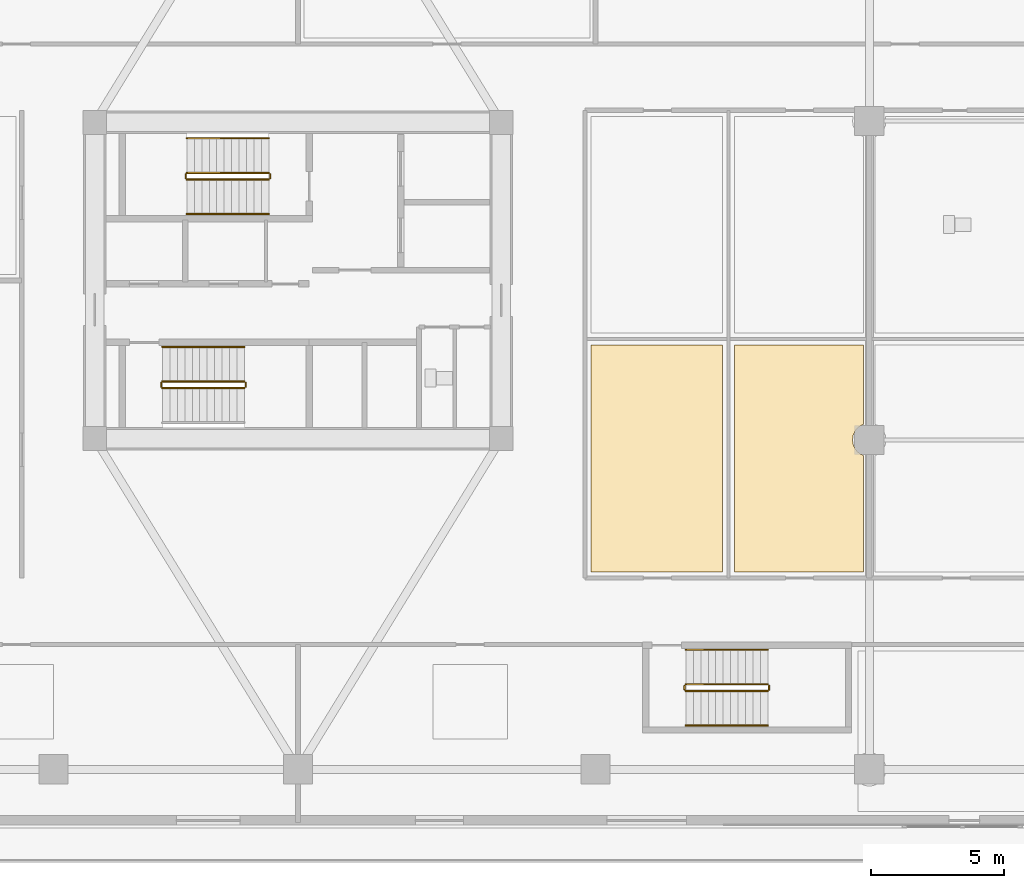
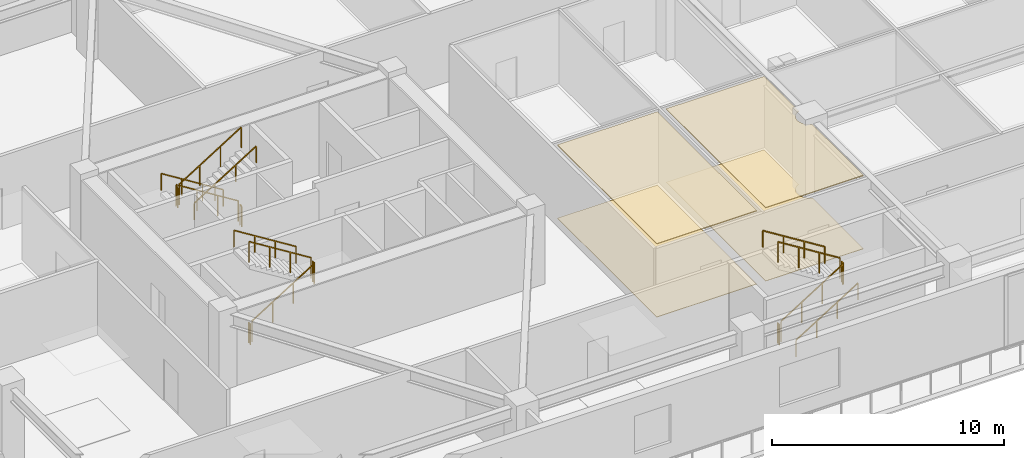
# One storey, part 14 of 22: 17 railings, 4 coverings.
"""IFC4 building model written with IfcOpenShell, lengths in metres."""

from ifc_helpers import new_model, si_unit, direction, frame, origin, origin_2d, place, context, subcontext, project, spatial, polyline, rectangle, outline, extrude, material, layer, layer_set, type_object, element, save


model = new_model("IFC4")

# Units and contexts
model_context = context("Model", 3, precision=1e-05, world=origin(), true_north=direction((0.0, 1.0)))
body_context = subcontext(model_context, "Body", "Model", "MODEL_VIEW")
ifc_project = project(units=[si_unit("LENGTHUNIT", "METRE"), si_unit("AREAUNIT", "SQUARE_METRE"), si_unit("VOLUMEUNIT", "CUBIC_METRE"), si_unit("PLANEANGLEUNIT", "RADIAN"), si_unit("MASSUNIT", "GRAM", prefix="KILO")], contexts=[model_context])

# Site, building, storey
site_placement = place(None, origin())
site = spatial("IfcSite", under=ifc_project, at=site_placement, CompositionType="ELEMENT")
building_placement = place(site_placement, origin())
building = spatial("IfcBuilding", under=site, at=building_placement, Name="Norrkilde Senior Care Towers", CompositionType="ELEMENT")
storey_placement = place(building_placement, frame((0.0, 0.0, 12.60009765625)))
storey = spatial("IfcBuildingStorey", under=building, at=storey_placement, Name="L03", CompositionType="ELEMENT", Elevation=12.60009765625)

# Coverings
ifc_material_1 = material(Name="Nordic Ash Timber", Category="wood")
ifc_layer_1 = layer(ifc_material_1, 0.044921875)
ifc_layer_set_1 = layer_set([ifc_layer_1], Name="Nordic Ash Timber")
covering_type_1 = type_object("IfcCoveringType", Name="Acoustic Ash Timber Slatted Ceiling 45", PredefinedType="CEILING", material=ifc_layer_set_1)
covering_1_placement = place(storey_placement, frame((0.0, 0.0, 3.8349609375)))
element("IfcCovering", 1, at=covering_1_placement, inside=storey, type_object=covering_type_1, Name="L03 Suspended Ceiling 0074", PredefinedType="CEILING", context=body_context, shape_type="SweptSolid", body=[
    extrude(outline(polyline([(-12.02001953125, -2.419921875), (-12.02001953125, -10.97998046875), (-16.97998046875, -10.97998046875), (-16.97998046875, -2.419921875), (-12.02001953125, -2.419921875)])), origin(), (0.0, 0.0, 1.0), 0.044921875),
])
covering_2_placement = place(storey_placement, frame((0.0, 0.0, 3.8349609375)))
element("IfcCovering", 2, at=covering_2_placement, inside=storey, type_object=covering_type_1, Name="L03 Suspended Ceiling 0076", PredefinedType="CEILING", context=body_context, shape_type="SweptSolid", body=[
    extrude(outline(polyline([(-6.719970703125, -5.4150390625), (-6.81494140625, -5.454345703125), (-6.945556640625, -5.554443359375), (-7.045654296875, -5.68505859375), (-7.108642578125, -5.8369140625), (-7.1298828125, -6.0), (-7.108642578125, -6.1630859375), (-7.045654296875, -6.31494140625), (-6.945556640625, -6.445556640625), (-6.81494140625, -6.545654296875), (-6.719970703125, -6.5849609375), (-6.719970703125, -10.97998046875), (-11.580078125, -10.97998046875), (-11.580078125, -2.419921875), (-6.719970703125, -2.419921875), (-6.719970703125, -5.4150390625)])), origin(), (0.0, 0.0, 1.0), 0.044921875),
])
ifc_material_2 = material(Name="Slip-Resistant Porcelain Stone", Category="masonry")
ifc_layer_2 = layer(ifc_material_2, 0.02490234375)
ifc_layer_set_2 = layer_set([ifc_layer_2], Name="Slip-Resistant Porcelain Stone")
covering_type_2 = type_object("IfcCoveringType", Name="Slip-Resistant Porcelain Flooring 25", PredefinedType="FLOORING", material=ifc_layer_set_2)
covering_3_placement = place(storey_placement, origin())
element("IfcCovering", 3, at=covering_3_placement, inside=storey, type_object=covering_type_2, Name="L03 Floor Finish 0074", PredefinedType="FLOORING", context=body_context, shape_type="SweptSolid", body=[
    extrude(outline(polyline([(-12.02001953125, -2.419921875), (-12.02001953125, -10.97998046875), (-16.97998046875, -10.97998046875), (-16.97998046875, -2.419921875), (-12.02001953125, -2.419921875)])), origin(), (0.0, 0.0, 1.0), 0.02490234375),
])
covering_4_placement = place(storey_placement, origin())
element("IfcCovering", 4, at=covering_4_placement, inside=storey, type_object=covering_type_2, Name="L03 Floor Finish 0076", PredefinedType="FLOORING", context=body_context, shape_type="SweptSolid", body=[
    extrude(outline(polyline([(-6.719970703125, -5.4150390625), (-6.81494140625, -5.454345703125), (-6.945556640625, -5.554443359375), (-7.045654296875, -5.68505859375), (-7.108642578125, -5.8369140625), (-7.1298828125, -6.0), (-7.108642578125, -6.1630859375), (-7.045654296875, -6.31494140625), (-6.945556640625, -6.445556640625), (-6.81494140625, -6.545654296875), (-6.719970703125, -6.5849609375), (-6.719970703125, -10.97998046875), (-11.580078125, -10.97998046875), (-11.580078125, -2.419921875), (-6.719970703125, -2.419921875), (-6.719970703125, -5.4150390625)])), origin(), (0.0, 0.0, 1.0), 0.02490234375),
])

# Railings
ifc_material_3 = material(Name="Stainless Steel", Category="steel")
railing_type_1 = type_object("IfcRailingType", Name="Stair and Terrace Guardrail 1100", PredefinedType="GUARDRAIL", material=ifc_material_3)
railing_1_placement = place(storey_placement, frame((-29.10009765625, 4.050048828125, 0.1748046875)))
element("IfcRailing", 5, at=railing_1_placement, inside=storey, type_object=railing_type_1, Name="L03 ST-W1 stair guard 1", PredefinedType="GUARDRAIL", context=body_context, shape_type="SweptSolid", body=[
    extrude(rectangle(XDim=0.048095703125, YDim=0.048095703125, at=origin_2d()), frame((0.0, 0.0, 1.076171875), z_axis=(-0.847979421464, 0.0, 0.530029150871), x_axis=(0.0, -1.0, 0.0)), (0.0, 0.0, 1.0), 3.632080078125),
    extrude(rectangle(XDim=0.0419921875, YDim=0.0419921875, at=origin_2d()), origin(), (0.0, 0.0, 1.0), 1.050048828125),
    extrude(rectangle(XDim=0.0419921875, YDim=0.0419921875, at=origin_2d()), frame((-1.026611328125, 0.0, 0.6416015625)), (0.0, 0.0, 1.0), 1.050048828125),
    extrude(rectangle(XDim=0.0419921875, YDim=0.0419921875, at=origin_2d()), frame((-2.05322265625, 0.0, 1.283447265625)), (0.0, 0.0, 1.0), 1.050048828125),
    extrude(rectangle(XDim=0.0419921875, YDim=0.0419921875, at=origin_2d()), frame((-3.079833984375, 0.0, 1.925048828125)), (0.0, 0.0, 1.0), 1.050048828125),
])
railing_2_placement = place(storey_placement, frame((-32.22998046875, 4.0, 2.099853515625)))
element("IfcRailing", 6, at=railing_2_placement, inside=storey, type_object=railing_type_1, Name="L03 ST-W1 stair guard 2", PredefinedType="GUARDRAIL", context=body_context, shape_type="SweptSolid", body=[
    extrude(rectangle(XDim=0.048095703125, YDim=0.048095703125, at=origin_2d()), frame((0.0, 0.0, 1.076171875), z_axis=(0.0, -1.0, 0.0), x_axis=(1.0, 0.0, 0.0)), (0.0, 0.0, 1.0), 0.14990234375),
    extrude(rectangle(XDim=0.0419921875, YDim=0.0419921875, at=origin_2d()), origin(), (0.0, 0.0, 1.0), 1.050048828125),
    extrude(rectangle(XDim=0.0419921875, YDim=0.0419921875, at=origin_2d()), frame((0.0, -0.14990234375, 0.0)), (0.0, 0.0, 1.0), 1.050048828125),
])
railing_3_placement = place(storey_placement, frame((-32.179931640625, 3.800048828125, 2.27490234375)))
element("IfcRailing", 7, at=railing_3_placement, inside=storey, type_object=railing_type_1, Name="L03 ST-W1 stair guard 3", PredefinedType="GUARDRAIL", context=body_context, shape_type="SweptSolid", body=[
    extrude(rectangle(XDim=0.048095703125, YDim=0.048095703125, at=origin_2d()), frame((0.0, 0.0, 1.076171875), z_axis=(0.847979421464, 0.0, 0.530029150871), x_axis=(0.0, 1.0, 0.0)), (0.0, 0.0, 1.0), 3.632080078125),
    extrude(rectangle(XDim=0.0419921875, YDim=0.0419921875, at=origin_2d()), origin(), (0.0, 0.0, 1.0), 1.050048828125),
    extrude(rectangle(XDim=0.0419921875, YDim=0.0419921875, at=origin_2d()), frame((1.026611328125, 0.0, 0.6416015625)), (0.0, 0.0, 1.0), 1.050048828125),
    extrude(rectangle(XDim=0.0419921875, YDim=0.0419921875, at=origin_2d()), frame((2.05322265625, 0.0, 1.283447265625)), (0.0, 0.0, 1.0), 1.050048828125),
    extrude(rectangle(XDim=0.0419921875, YDim=0.0419921875, at=origin_2d()), frame((3.079833984375, 0.0, 1.925048828125)), (0.0, 0.0, 1.0), 1.050048828125),
])
railing_4_placement = place(storey_placement, frame((-29.050048828125, 4.0, 0.0)))
element("IfcRailing", 8, at=railing_4_placement, inside=storey, type_object=railing_type_1, Name="L03 ST-W1 stair guard 4", PredefinedType="GUARDRAIL", context=body_context, shape_type="SweptSolid", body=[
    extrude(rectangle(XDim=0.048095703125, YDim=0.048095703125, at=origin_2d()), frame((0.0, 0.0, 1.076171875), z_axis=(0.0, -1.0, 0.0), x_axis=(1.0, 0.0, 0.0)), (0.0, 0.0, 1.0), 0.14990234375),
    extrude(rectangle(XDim=0.0419921875, YDim=0.0419921875, at=origin_2d()), origin(), (0.0, 0.0, 1.0), 1.050048828125),
    extrude(rectangle(XDim=0.0419921875, YDim=0.0419921875, at=origin_2d()), frame((0.0, -0.14990234375, 0.0)), (0.0, 0.0, 1.0), 1.050048828125),
])
railing_5_placement = place(storey_placement, frame((-33.10009765625, -4.050048828125, 0.1748046875)))
element("IfcRailing", 9, at=railing_5_placement, inside=storey, type_object=railing_type_1, Name="L03 ST-W2 stair guard 1", PredefinedType="GUARDRAIL", context=body_context, shape_type="SweptSolid", body=[
    extrude(rectangle(XDim=0.048095703125, YDim=0.048095703125, at=origin_2d()), frame((0.0, 0.0, 1.076171875), z_axis=(0.847998304005, 0.0, 0.529998940003), x_axis=(0.0, 1.0, 0.0)), (0.0, 0.0, 1.0), 3.632080078125),
    extrude(rectangle(XDim=0.0419921875, YDim=0.0419921875, at=origin_2d()), origin(), (0.0, 0.0, 1.0), 1.050048828125),
    extrude(rectangle(XDim=0.0419921875, YDim=0.0419921875, at=origin_2d()), frame((1.026611328125, 0.0, 0.6416015625)), (0.0, 0.0, 1.0), 1.050048828125),
    extrude(rectangle(XDim=0.0419921875, YDim=0.0419921875, at=origin_2d()), frame((2.053466796875, 0.0, 1.283447265625)), (0.0, 0.0, 1.0), 1.050048828125),
    extrude(rectangle(XDim=0.0419921875, YDim=0.0419921875, at=origin_2d()), frame((3.080078125, 0.0, 1.925048828125)), (0.0, 0.0, 1.0), 1.050048828125),
])
railing_6_placement = place(storey_placement, frame((-29.969970703125, -4.0, 2.099853515625)))
element("IfcRailing", 10, at=railing_6_placement, inside=storey, type_object=railing_type_1, Name="L03 ST-W2 stair guard 2", PredefinedType="GUARDRAIL", context=body_context, shape_type="SweptSolid", body=[
    extrude(rectangle(XDim=0.048095703125, YDim=0.048095703125, at=origin_2d()), frame((0.0, 0.0, 1.076171875), z_axis=(0.0, 1.0, 0.0), x_axis=(-1.0, 0.0, 0.0)), (0.0, 0.0, 1.0), 0.14990234375),
    extrude(rectangle(XDim=0.0419921875, YDim=0.0419921875, at=origin_2d()), origin(), (0.0, 0.0, 1.0), 1.050048828125),
    extrude(rectangle(XDim=0.0419921875, YDim=0.0419921875, at=origin_2d()), frame((0.0, 0.14990234375, 0.0)), (0.0, 0.0, 1.0), 1.050048828125),
])
railing_7_placement = place(storey_placement, frame((-30.02001953125, -3.800048828125, 2.27490234375)))
element("IfcRailing", 11, at=railing_7_placement, inside=storey, type_object=railing_type_1, Name="L03 ST-W2 stair guard 3", PredefinedType="GUARDRAIL", context=body_context, shape_type="SweptSolid", body=[
    extrude(rectangle(XDim=0.048095703125, YDim=0.048095703125, at=origin_2d()), frame((0.0, 0.0, 1.076171875), z_axis=(-0.847998304005, 0.0, 0.529998940003), x_axis=(0.0, -1.0, 0.0)), (0.0, 0.0, 1.0), 3.632080078125),
    extrude(rectangle(XDim=0.0419921875, YDim=0.0419921875, at=origin_2d()), origin(), (0.0, 0.0, 1.0), 1.050048828125),
    extrude(rectangle(XDim=0.0419921875, YDim=0.0419921875, at=origin_2d()), frame((-1.026611328125, 0.0, 0.6416015625)), (0.0, 0.0, 1.0), 1.050048828125),
    extrude(rectangle(XDim=0.0419921875, YDim=0.0419921875, at=origin_2d()), frame((-2.053466796875, 0.0, 1.283447265625)), (0.0, 0.0, 1.0), 1.050048828125),
    extrude(rectangle(XDim=0.0419921875, YDim=0.0419921875, at=origin_2d()), frame((-3.080078125, 0.0, 1.925048828125)), (0.0, 0.0, 1.0), 1.050048828125),
])
railing_8_placement = place(storey_placement, frame((-33.14990234375, -4.0, 0.0)))
element("IfcRailing", 12, at=railing_8_placement, inside=storey, type_object=railing_type_1, Name="L03 ST-W2 stair guard 4", PredefinedType="GUARDRAIL", context=body_context, shape_type="SweptSolid", body=[
    extrude(rectangle(XDim=0.048095703125, YDim=0.048095703125, at=origin_2d()), frame((0.0, 0.0, 1.076171875), z_axis=(0.0, 1.0, 0.0), x_axis=(-1.0, 0.0, 0.0)), (0.0, 0.0, 1.0), 0.14990234375),
    extrude(rectangle(XDim=0.0419921875, YDim=0.0419921875, at=origin_2d()), origin(), (0.0, 0.0, 1.0), 1.050048828125),
    extrude(rectangle(XDim=0.0419921875, YDim=0.0419921875, at=origin_2d()), frame((0.0, 0.14990234375, 0.0)), (0.0, 0.0, 1.0), 1.050048828125),
])
railing_9_placement = place(storey_placement, frame((-13.39990234375, -15.449951171875, 0.1748046875)))
element("IfcRailing", 13, at=railing_9_placement, inside=storey, type_object=railing_type_1, Name="L03 ST-P1 stair guard 1", PredefinedType="GUARDRAIL", context=body_context, shape_type="SweptSolid", body=[
    extrude(rectangle(XDim=0.048095703125, YDim=0.048095703125, at=origin_2d()), frame((0.0, 0.0, 1.076171875), z_axis=(0.847979421464, 0.0, 0.530029150871), x_axis=(0.0, 1.0, 0.0)), (0.0, 0.0, 1.0), 3.632080078125),
    extrude(rectangle(XDim=0.0419921875, YDim=0.0419921875, at=origin_2d()), origin(), (0.0, 0.0, 1.0), 1.050048828125),
    extrude(rectangle(XDim=0.0419921875, YDim=0.0419921875, at=origin_2d()), frame((1.026611328125, 0.0, 0.6416015625)), (0.0, 0.0, 1.0), 1.050048828125),
    extrude(rectangle(XDim=0.0419921875, YDim=0.0419921875, at=origin_2d()), frame((2.05322265625, 0.0, 1.283447265625)), (0.0, 0.0, 1.0), 1.050048828125),
    extrude(rectangle(XDim=0.0419921875, YDim=0.0419921875, at=origin_2d()), frame((3.079833984375, 0.0, 1.925048828125)), (0.0, 0.0, 1.0), 1.050048828125),
])
railing_10_placement = place(storey_placement, frame((-10.27001953125, -15.39990234375, 2.099853515625)))
element("IfcRailing", 14, at=railing_10_placement, inside=storey, type_object=railing_type_1, Name="L03 ST-P1 stair guard 2", PredefinedType="GUARDRAIL", context=body_context, shape_type="SweptSolid", body=[
    extrude(rectangle(XDim=0.048095703125, YDim=0.048095703125, at=origin_2d()), frame((0.0, 0.0, 1.076171875), z_axis=(0.0, 1.0, 0.0), x_axis=(-1.0, 0.0, 0.0)), (0.0, 0.0, 1.0), 0.14990234375),
    extrude(rectangle(XDim=0.0419921875, YDim=0.0419921875, at=origin_2d()), origin(), (0.0, 0.0, 1.0), 1.050048828125),
    extrude(rectangle(XDim=0.0419921875, YDim=0.0419921875, at=origin_2d()), frame((0.0, 0.14990234375, 0.0)), (0.0, 0.0, 1.0), 1.050048828125),
])
railing_11_placement = place(storey_placement, frame((-10.320068359375, -15.199951171875, 2.27490234375)))
element("IfcRailing", 15, at=railing_11_placement, inside=storey, type_object=railing_type_1, Name="L03 ST-P1 stair guard 3", PredefinedType="GUARDRAIL", context=body_context, shape_type="SweptSolid", body=[
    extrude(rectangle(XDim=0.048095703125, YDim=0.048095703125, at=origin_2d()), frame((0.0, 0.0, 1.076171875), z_axis=(-0.847979421464, 0.0, 0.530029150871), x_axis=(0.0, -1.0, 0.0)), (0.0, 0.0, 1.0), 3.632080078125),
    extrude(rectangle(XDim=0.0419921875, YDim=0.0419921875, at=origin_2d()), origin(), (0.0, 0.0, 1.0), 1.050048828125),
    extrude(rectangle(XDim=0.0419921875, YDim=0.0419921875, at=origin_2d()), frame((-1.026611328125, 0.0, 0.6416015625)), (0.0, 0.0, 1.0), 1.050048828125),
    extrude(rectangle(XDim=0.0419921875, YDim=0.0419921875, at=origin_2d()), frame((-2.05322265625, 0.0, 1.283447265625)), (0.0, 0.0, 1.0), 1.050048828125),
    extrude(rectangle(XDim=0.0419921875, YDim=0.0419921875, at=origin_2d()), frame((-3.079833984375, 0.0, 1.925048828125)), (0.0, 0.0, 1.0), 1.050048828125),
])
railing_12_placement = place(storey_placement, frame((-13.449951171875, -15.39990234375, 0.0)))
element("IfcRailing", 16, at=railing_12_placement, inside=storey, type_object=railing_type_1, Name="L03 ST-P1 stair guard 4", PredefinedType="GUARDRAIL", context=body_context, shape_type="SweptSolid", body=[
    extrude(rectangle(XDim=0.048095703125, YDim=0.048095703125, at=origin_2d()), frame((0.0, 0.0, 1.076171875), z_axis=(0.0, 1.0, 0.0), x_axis=(-1.0, 0.0, 0.0)), (0.0, 0.0, 1.0), 0.14990234375),
    extrude(rectangle(XDim=0.0419921875, YDim=0.0419921875, at=origin_2d()), origin(), (0.0, 0.0, 1.0), 1.050048828125),
    extrude(rectangle(XDim=0.0419921875, YDim=0.0419921875, at=origin_2d()), frame((0.0, 0.14990234375, 0.0)), (0.0, 0.0, 1.0), 1.050048828125),
])
railing_type_2 = type_object("IfcRailingType", Name="Wall and Stair Handrail 900", PredefinedType="HANDRAIL", material=ifc_material_1)
railing_13_placement = place(storey_placement, frame((-29.10009765625, 5.35009765625, 0.1748046875)))
element("IfcRailing", 17, at=railing_13_placement, inside=storey, type_object=railing_type_2, Name="L03 ST-W1 stair handrail 1", PredefinedType="HANDRAIL", context=body_context, shape_type="SweptSolid", body=[
    extrude(rectangle(XDim=0.048095703125, YDim=0.048095703125, at=origin_2d()), frame((0.0, 0.0, 0.8759765625), z_axis=(-0.847979421464, 0.0, 0.530029150871), x_axis=(0.0, -1.0, 0.0)), (0.0, 0.0, 1.0), 3.632080078125),
    extrude(rectangle(XDim=0.0419921875, YDim=0.0419921875, at=origin_2d()), origin(), (0.0, 0.0, 1.0), 0.849853515625),
    extrude(rectangle(XDim=0.0419921875, YDim=0.0419921875, at=origin_2d()), frame((-1.026611328125, 0.0, 0.6416015625)), (0.0, 0.0, 1.0), 0.849853515625),
    extrude(rectangle(XDim=0.0419921875, YDim=0.0419921875, at=origin_2d()), frame((-2.05322265625, 0.0, 1.283447265625)), (0.0, 0.0, 1.0), 0.849853515625),
    extrude(rectangle(XDim=0.0419921875, YDim=0.0419921875, at=origin_2d()), frame((-3.079833984375, 0.0, 1.925048828125)), (0.0, 0.0, 1.0), 0.849853515625),
])
railing_14_placement = place(storey_placement, frame((-32.179931640625, 2.5, 2.27490234375)))
element("IfcRailing", 18, at=railing_14_placement, inside=storey, type_object=railing_type_2, Name="L03 ST-W1 stair handrail 2", PredefinedType="HANDRAIL", context=body_context, shape_type="SweptSolid", body=[
    extrude(rectangle(XDim=0.048095703125, YDim=0.048095703125, at=origin_2d()), frame((0.0, 0.0, 0.8759765625), z_axis=(0.847979421464, 0.0, 0.530029150871), x_axis=(0.0, 1.0, 0.0)), (0.0, 0.0, 1.0), 3.632080078125),
    extrude(rectangle(XDim=0.0419921875, YDim=0.0419921875, at=origin_2d()), origin(), (0.0, 0.0, 1.0), 0.849853515625),
    extrude(rectangle(XDim=0.0419921875, YDim=0.0419921875, at=origin_2d()), frame((1.026611328125, 0.0, 0.6416015625)), (0.0, 0.0, 1.0), 0.849853515625),
    extrude(rectangle(XDim=0.0419921875, YDim=0.0419921875, at=origin_2d()), frame((2.05322265625, 0.0, 1.283447265625)), (0.0, 0.0, 1.0), 0.849853515625),
    extrude(rectangle(XDim=0.0419921875, YDim=0.0419921875, at=origin_2d()), frame((3.079833984375, 0.0, 1.925048828125)), (0.0, 0.0, 1.0), 0.849853515625),
])
railing_15_placement = place(storey_placement, frame((-30.02001953125, -2.5, 2.27490234375)))
element("IfcRailing", 19, at=railing_15_placement, inside=storey, type_object=railing_type_2, Name="L03 ST-W2 stair handrail 2", PredefinedType="HANDRAIL", context=body_context, shape_type="SweptSolid", body=[
    extrude(rectangle(XDim=0.048095703125, YDim=0.048095703125, at=origin_2d()), frame((0.0, 0.0, 0.8759765625), z_axis=(-0.847998304005, 0.0, 0.529998940003), x_axis=(0.0, -1.0, 0.0)), (0.0, 0.0, 1.0), 3.632080078125),
    extrude(rectangle(XDim=0.0419921875, YDim=0.0419921875, at=origin_2d()), origin(), (0.0, 0.0, 1.0), 0.849853515625),
    extrude(rectangle(XDim=0.0419921875, YDim=0.0419921875, at=origin_2d()), frame((-1.026611328125, 0.0, 0.6416015625)), (0.0, 0.0, 1.0), 0.849853515625),
    extrude(rectangle(XDim=0.0419921875, YDim=0.0419921875, at=origin_2d()), frame((-2.053466796875, 0.0, 1.283447265625)), (0.0, 0.0, 1.0), 0.849853515625),
    extrude(rectangle(XDim=0.0419921875, YDim=0.0419921875, at=origin_2d()), frame((-3.080078125, 0.0, 1.925048828125)), (0.0, 0.0, 1.0), 0.849853515625),
])
railing_16_placement = place(storey_placement, frame((-13.39990234375, -16.75, 0.1748046875)))
element("IfcRailing", 20, at=railing_16_placement, inside=storey, type_object=railing_type_2, Name="L03 ST-P1 stair handrail 1", PredefinedType="HANDRAIL", context=body_context, shape_type="SweptSolid", body=[
    extrude(rectangle(XDim=0.048095703125, YDim=0.048095703125, at=origin_2d()), frame((0.0, 0.0, 0.8759765625), z_axis=(0.847979421464, 0.0, 0.530029150871), x_axis=(0.0, 1.0, 0.0)), (0.0, 0.0, 1.0), 3.632080078125),
    extrude(rectangle(XDim=0.0419921875, YDim=0.0419921875, at=origin_2d()), origin(), (0.0, 0.0, 1.0), 0.849853515625),
    extrude(rectangle(XDim=0.0419921875, YDim=0.0419921875, at=origin_2d()), frame((1.026611328125, 0.0, 0.6416015625)), (0.0, 0.0, 1.0), 0.849853515625),
    extrude(rectangle(XDim=0.0419921875, YDim=0.0419921875, at=origin_2d()), frame((2.05322265625, 0.0, 1.283447265625)), (0.0, 0.0, 1.0), 0.849853515625),
    extrude(rectangle(XDim=0.0419921875, YDim=0.0419921875, at=origin_2d()), frame((3.079833984375, 0.0, 1.925048828125)), (0.0, 0.0, 1.0), 0.849853515625),
])
railing_17_placement = place(storey_placement, frame((-10.320068359375, -13.89990234375, 2.27490234375)))
element("IfcRailing", 21, at=railing_17_placement, inside=storey, type_object=railing_type_2, Name="L03 ST-P1 stair handrail 2", PredefinedType="HANDRAIL", context=body_context, shape_type="SweptSolid", body=[
    extrude(rectangle(XDim=0.048095703125, YDim=0.048095703125, at=origin_2d()), frame((0.0, 0.0, 0.8759765625), z_axis=(-0.847979421464, 0.0, 0.530029150871), x_axis=(0.0, -1.0, 0.0)), (0.0, 0.0, 1.0), 3.632080078125),
    extrude(rectangle(XDim=0.0419921875, YDim=0.0419921875, at=origin_2d()), origin(), (0.0, 0.0, 1.0), 0.849853515625),
    extrude(rectangle(XDim=0.0419921875, YDim=0.0419921875, at=origin_2d()), frame((-1.026611328125, 0.0, 0.6416015625)), (0.0, 0.0, 1.0), 0.849853515625),
    extrude(rectangle(XDim=0.0419921875, YDim=0.0419921875, at=origin_2d()), frame((-2.05322265625, 0.0, 1.283447265625)), (0.0, 0.0, 1.0), 0.849853515625),
    extrude(rectangle(XDim=0.0419921875, YDim=0.0419921875, at=origin_2d()), frame((-3.079833984375, 0.0, 1.925048828125)), (0.0, 0.0, 1.0), 0.849853515625),
])

save(model, "model.ifc")
